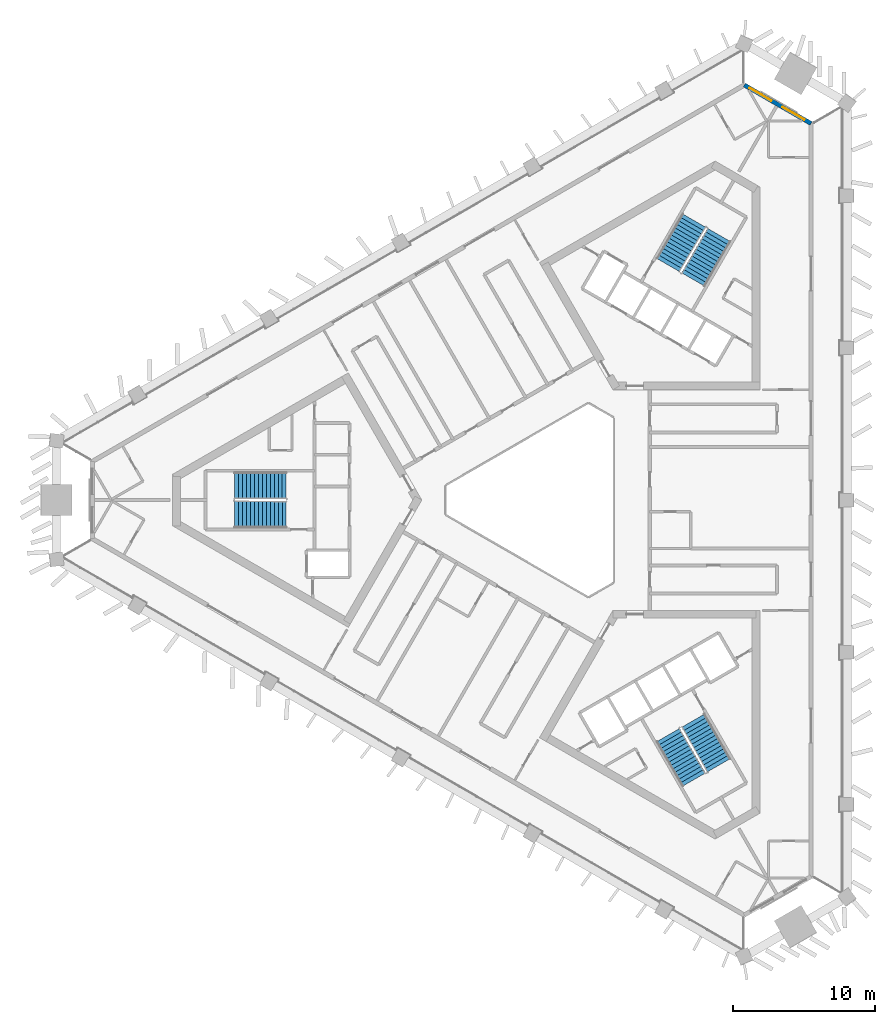
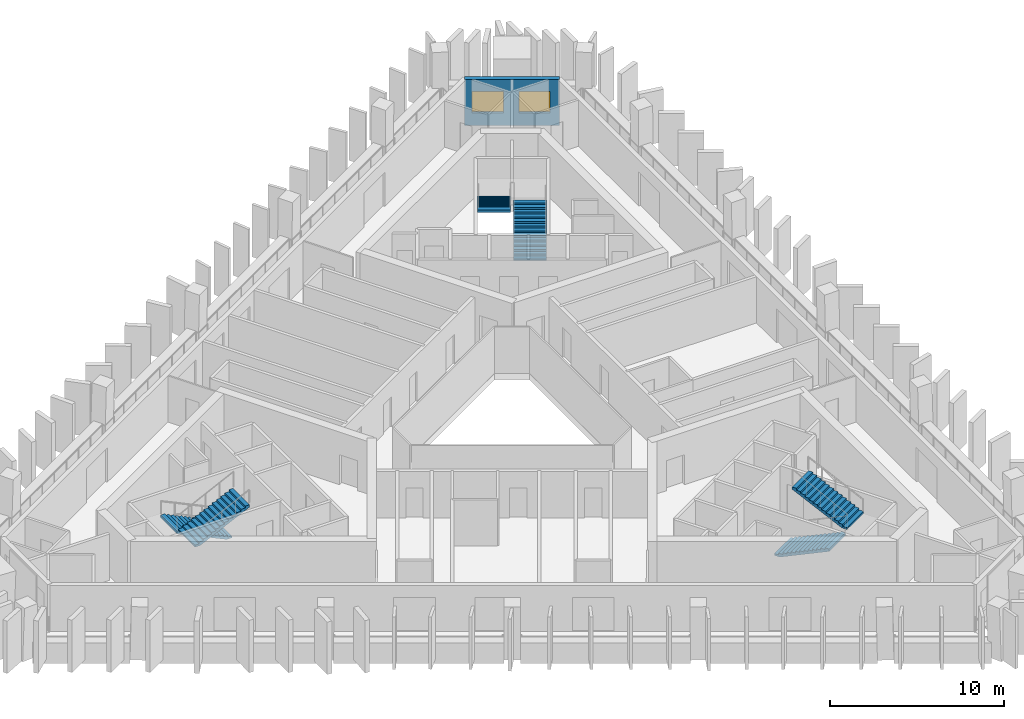
# One storey, part 7 of 10: 6 stair flights, 2 windows, 1 wall, 2 openings, 3 elements without a shape of their own.
"""IFC4 building model written with IfcOpenShell, lengths in metres."""

from ifc_helpers import new_model, si_unit, direction, frame, frame_2d, origin, place, context, subcontext, project, spatial, polyline, rectangle, outline, extrude, material, layer, layer_set, type_object, element, fill, aggregate, save


model = new_model("IFC4")

# Units and contexts
model_context = context("Model", 3, precision=1e-05, world=origin(), true_north=direction((0.0, 1.0)))
body_context = subcontext(model_context, "Body", "Model", "MODEL_VIEW")
ifc_project = project(units=[si_unit("LENGTHUNIT", "METRE"), si_unit("AREAUNIT", "SQUARE_METRE"), si_unit("VOLUMEUNIT", "CUBIC_METRE"), si_unit("PLANEANGLEUNIT", "RADIAN"), si_unit("MASSUNIT", "GRAM", prefix="KILO")], contexts=[model_context])

# Site, building, storey
site_placement = place(None, origin())
site = spatial("IfcSite", under=ifc_project, at=site_placement, CompositionType="ELEMENT")
building_placement = place(site_placement, origin())
building = spatial("IfcBuilding", under=site, at=building_placement, Name="Jabali Bay Hotel Tower and Convention Centre", CompositionType="ELEMENT")
storey_placement = place(building_placement, frame((0.0, 0.0, 178.5)))
storey = spatial("IfcBuildingStorey", under=building, at=storey_placement, Name="L43", CompositionType="ELEMENT", Elevation=178.5)

# Wall, openings, windows
ifc_material_1 = material(Name="Concrete C40", Category="concrete")
ifc_layer = layer(ifc_material_1, 0.300048828125)
ifc_layer_set = layer_set([ifc_layer], Name="Concrete C40")
wall_type = type_object("IfcWallType", Name="External wall 300", PredefinedType="SOLIDWALL", material=ifc_layer_set)
wall_placement = place(storey_placement, frame((88.787841796875, 109.324462890625, 0.0), z_axis=(0.0, 0.0, 1.0), x_axis=(0.866026498114, -0.499998104561, 0.0)))
wall = element("IfcWall", 1, at=wall_placement, inside=storey, type_object=wall_type, Name="External wall north-east chamfer L43", PredefinedType="SOLIDWALL", context=body_context, shape_type="SweptSolid", body=[
    extrude(rectangle(XDim=5.443359375, YDim=0.300048828125, at=frame_2d((2.7216796875, 0.0))), origin(), (0.0, 0.0, 1.0), 3.25),
])
opening_1_placement = place(wall_placement, frame((3.121826171875, 0.0, 0.89990234375)))
opening_1 = element("IfcOpeningElement", 2, at=opening_1_placement, cuts=wall, Name="Opening W1", PredefinedType="OPENING", context=body_context, shape_type="SweptSolid", body=[
    extrude(rectangle(XDim=1.800048828125, YDim=1.5, at=frame_2d((0.89990234375, 0.75))), frame((0.0, 0.16064453125, 0.0), z_axis=(0.0, -1.0, 0.0), x_axis=(1.0, 0.0, 0.0)), (0.0, 0.0, 1.0), 0.321044921875),
])
opening_2_placement = place(wall_placement, frame((0.4228515625, 0.0, 0.89990234375)))
opening_2 = element("IfcOpeningElement", 3, at=opening_2_placement, cuts=wall, Name="Opening W1", PredefinedType="OPENING", context=body_context, shape_type="SweptSolid", body=[
    extrude(rectangle(XDim=1.800048828125, YDim=1.5, at=frame_2d((0.89990234375, 0.75))), frame((0.0, 0.16064453125, 0.0), z_axis=(0.0, -1.0, 0.0), x_axis=(1.0, 0.0, 0.0)), (0.0, 0.0, 1.0), 0.321044921875),
])
ifc_material_2 = material(Name="Glass", Category="glass")
window_type = type_object("IfcWindowType", Name="Window 1800 x 1500", PartitioningType="SINGLE_PANEL", PredefinedType="WINDOW", material=ifc_material_2)
window_1_placement = place(opening_1_placement, origin())
window_1 = element("IfcWindow", 4, at=window_1_placement, inside=storey, type_object=window_type, Name="Window 4304", OverallHeight=1.5, OverallWidth=1.800048828125, PartitioningType="SINGLE_PANEL", PredefinedType="WINDOW", context=body_context, shape_type="SweptSolid", body=[
    extrude(rectangle(XDim=1.800048828125, YDim=1.5, at=frame_2d((0.89990234375, 0.75))), frame((0.0, 0.030029296875, 0.0), z_axis=(0.0, -1.0, 0.0), x_axis=(1.0, 0.0, 0.0)), (0.0, 0.0, 1.0), 0.06005859375),
])
fill(opening_1, window_1)
window_2_placement = place(opening_2_placement, origin())
window_2 = element("IfcWindow", 5, at=window_2_placement, inside=storey, type_object=window_type, Name="Window 4306", OverallHeight=1.5, OverallWidth=1.800048828125, PartitioningType="SINGLE_PANEL", PredefinedType="WINDOW", context=body_context, shape_type="SweptSolid", body=[
    extrude(rectangle(XDim=1.800048828125, YDim=1.5, at=frame_2d((0.89990234375, 0.75))), frame((0.0, 0.030029296875, 0.0), z_axis=(0.0, -1.0, 0.0), x_axis=(1.0, 0.0, 0.0)), (0.0, 0.0, 1.0), 0.06005859375),
])
fill(opening_2, window_2)

# Stair, stair flights
stair_type = type_object("IfcStairType", Name="Exit stair 1900", PredefinedType="HALF_TURN_STAIR", material=ifc_material_1)
stair_1_placement = place(storey_placement, origin())
stair_1 = element("IfcStair", 6, at=stair_1_placement, inside=storey, type_object=stair_type, Name="L43 Exit Stair 1", PredefinedType="HALF_TURN_STAIR")
stair_flight_type = type_object("IfcStairFlightType", Name="Stair flight concrete 150", PredefinedType="STRAIGHT", material=ifc_material_1)
stair_flight_1_placement = place(storey_placement, frame((56.419921875, 81.02490234375, 0.0), z_axis=(0.0, 0.0, 1.0), x_axis=(-1.0, 0.0, 0.0)))
stair_flight_1 = element("IfcStairFlight", 7, at=stair_flight_1_placement, type_object=stair_flight_type, Name="ST1 flight 1", NumberOfRisers=14, NumberOfTreads=13, PredefinedType="STRAIGHT", RiserHeight=0.132142857, TreadLength=0.28, context=body_context, shape_type="SweptSolid", body=[
    extrude(outline(polyline([(0.0, 0.0), (0.0, 0.132080078125), (0.280029296875, 0.132080078125), (0.280029296875, 0.264404296875), (0.56005859375, 0.264404296875), (0.56005859375, 0.396484375), (0.840087890625, 0.396484375), (0.840087890625, 0.528564453125), (1.1201171875, 0.528564453125), (1.1201171875, 0.66064453125), (1.39990234375, 0.66064453125), (1.39990234375, 0.79296875), (1.679931640625, 0.79296875), (1.679931640625, 0.925048828125), (1.9599609375, 0.925048828125), (1.9599609375, 1.05712890625), (2.239990234375, 1.05712890625), (2.239990234375, 1.189208984375), (2.52001953125, 1.189208984375), (2.52001953125, 1.321533203125), (2.800048828125, 1.321533203125), (2.800048828125, 1.45361328125), (3.080078125, 1.45361328125), (3.080078125, 1.585693359375), (3.360107421875, 1.585693359375), (3.360107421875, 1.7177734375), (3.639892578125, 1.7177734375), (3.639892578125, 1.85009765625), (3.639892578125, 1.552001953125), (0.351318359375, 0.0), (0.0, 0.0)])), frame((0.0, 0.949951171875, 0.0), z_axis=(0.0, -1.0, 0.0), x_axis=(1.0, 0.0, 0.0)), (0.0, 0.0, 1.0), 1.89990234375),
])
stair_flight_2_placement = place(storey_placement, frame((52.780029296875, 78.97509765625, 1.85009765625), z_axis=(0.0, 0.0, 1.0), x_axis=(1.0, 0.0, 0.0)))
stair_flight_2 = element("IfcStairFlight", 8, at=stair_flight_2_placement, type_object=stair_flight_type, Name="ST1 flight 2", NumberOfRisers=14, NumberOfTreads=13, PredefinedType="STRAIGHT", RiserHeight=0.132142857, TreadLength=0.28, context=body_context, shape_type="SweptSolid", body=[
    extrude(outline(polyline([(0.0, 0.0), (0.0, 0.132080078125), (0.280029296875, 0.132080078125), (0.280029296875, 0.264404296875), (0.56005859375, 0.264404296875), (0.56005859375, 0.396484375), (0.840087890625, 0.396484375), (0.840087890625, 0.528564453125), (1.1201171875, 0.528564453125), (1.1201171875, 0.66064453125), (1.39990234375, 0.66064453125), (1.39990234375, 0.79296875), (1.679931640625, 0.79296875), (1.679931640625, 0.925048828125), (1.9599609375, 0.925048828125), (1.9599609375, 1.05712890625), (2.239990234375, 1.05712890625), (2.239990234375, 1.189208984375), (2.52001953125, 1.189208984375), (2.52001953125, 1.321533203125), (2.800048828125, 1.321533203125), (2.800048828125, 1.45361328125), (3.080078125, 1.45361328125), (3.080078125, 1.585693359375), (3.360107421875, 1.585693359375), (3.360107421875, 1.7177734375), (3.639892578125, 1.7177734375), (3.639892578125, 1.85009765625), (3.639892578125, 1.552001953125), (0.351318359375, 0.0), (0.0, 0.0)])), frame((0.0, 0.949951171875, 0.0), z_axis=(0.0, -1.0, 0.0), x_axis=(1.0, 0.0, 0.0)), (0.0, 0.0, 1.0), 1.89990234375),
])
aggregate(stair_1, [stair_flight_1, stair_flight_2])

stair_2_placement = place(storey_placement, origin())
stair_2 = element("IfcStair", 9, at=stair_2_placement, inside=storey, type_object=stair_type, Name="L43 Exit Stair 2", PredefinedType="HALF_TURN_STAIR")
stair_flight_3_placement = place(storey_placement, frame((85.177734375, 95.578369140625, 0.0), z_axis=(0.0, 0.0, 1.0), x_axis=(0.5, 0.866025403784, 0.0)))
stair_flight_3 = element("IfcStairFlight", 10, at=stair_flight_3_placement, type_object=stair_flight_type, Name="ST2 flight 1", NumberOfRisers=14, NumberOfTreads=13, PredefinedType="STRAIGHT", RiserHeight=0.132142857, TreadLength=0.28, context=body_context, shape_type="SweptSolid", body=[
    extrude(outline(polyline([(0.0, 0.0), (0.0, 0.132080078125), (0.280029296875, 0.132080078125), (0.280029296875, 0.264404296875), (0.56005859375, 0.264404296875), (0.56005859375, 0.396484375), (0.840087890625, 0.396484375), (0.840087890625, 0.528564453125), (1.1201171875, 0.528564453125), (1.1201171875, 0.66064453125), (1.39990234375, 0.66064453125), (1.39990234375, 0.79296875), (1.679931640625, 0.79296875), (1.679931640625, 0.925048828125), (1.9599609375, 0.925048828125), (1.9599609375, 1.05712890625), (2.239990234375, 1.05712890625), (2.239990234375, 1.189208984375), (2.52001953125, 1.189208984375), (2.52001953125, 1.321533203125), (2.800048828125, 1.321533203125), (2.800048828125, 1.45361328125), (3.080078125, 1.45361328125), (3.080078125, 1.585693359375), (3.360107421875, 1.585693359375), (3.360107421875, 1.7177734375), (3.639892578125, 1.7177734375), (3.639892578125, 1.85009765625), (3.639892578125, 1.552001953125), (0.351318359375, 0.0), (0.0, 0.0)])), frame((0.0, 0.949951171875, 0.0), z_axis=(0.0, -1.0, 0.0), x_axis=(1.0, 0.0, 0.0)), (0.0, 0.0, 1.0), 1.89990234375),
])
stair_flight_4_placement = place(storey_placement, frame((85.222412109375, 99.755615234375, 1.85009765625), z_axis=(0.0, 0.0, 1.0), x_axis=(-0.5, -0.866025403784, 0.0)))
stair_flight_4 = element("IfcStairFlight", 11, at=stair_flight_4_placement, type_object=stair_flight_type, Name="ST2 flight 2", NumberOfRisers=14, NumberOfTreads=13, PredefinedType="STRAIGHT", RiserHeight=0.132142857, TreadLength=0.28, context=body_context, shape_type="SweptSolid", body=[
    extrude(outline(polyline([(0.0, 0.0), (0.0, 0.132080078125), (0.280029296875, 0.132080078125), (0.280029296875, 0.264404296875), (0.56005859375, 0.264404296875), (0.56005859375, 0.396484375), (0.840087890625, 0.396484375), (0.840087890625, 0.528564453125), (1.1201171875, 0.528564453125), (1.1201171875, 0.66064453125), (1.39990234375, 0.66064453125), (1.39990234375, 0.79296875), (1.679931640625, 0.79296875), (1.679931640625, 0.925048828125), (1.9599609375, 0.925048828125), (1.9599609375, 1.05712890625), (2.239990234375, 1.05712890625), (2.239990234375, 1.189208984375), (2.52001953125, 1.189208984375), (2.52001953125, 1.321533203125), (2.800048828125, 1.321533203125), (2.800048828125, 1.45361328125), (3.080078125, 1.45361328125), (3.080078125, 1.585693359375), (3.360107421875, 1.585693359375), (3.360107421875, 1.7177734375), (3.639892578125, 1.7177734375), (3.639892578125, 1.85009765625), (3.639892578125, 1.552001953125), (0.351318359375, 0.0), (0.0, 0.0)])), frame((0.0, 0.949951171875, 0.0), z_axis=(0.0, -1.0, 0.0), x_axis=(1.0, 0.0, 0.0)), (0.0, 0.0, 1.0), 1.89990234375),
])
aggregate(stair_2, [stair_flight_3, stair_flight_4])

stair_3_placement = place(storey_placement, origin())
stair_3 = element("IfcStair", 12, at=stair_3_placement, inside=storey, type_object=stair_type, Name="L43 Exit Stair 3", PredefinedType="HALF_TURN_STAIR")
stair_flight_5_placement = place(storey_placement, frame((83.40234375, 63.396728515625, 0.0), z_axis=(0.0, 0.0, 1.0), x_axis=(0.5, -0.866025403784, 0.0)))
stair_flight_5 = element("IfcStairFlight", 13, at=stair_flight_5_placement, type_object=stair_flight_type, Name="ST3 flight 1", NumberOfRisers=14, NumberOfTreads=13, PredefinedType="STRAIGHT", RiserHeight=0.132142857, TreadLength=0.28, context=body_context, shape_type="SweptSolid", body=[
    extrude(outline(polyline([(0.0, 0.0), (0.0, 0.132080078125), (0.280029296875, 0.132080078125), (0.280029296875, 0.264404296875), (0.56005859375, 0.264404296875), (0.56005859375, 0.396484375), (0.840087890625, 0.396484375), (0.840087890625, 0.528564453125), (1.1201171875, 0.528564453125), (1.1201171875, 0.66064453125), (1.39990234375, 0.66064453125), (1.39990234375, 0.79296875), (1.679931640625, 0.79296875), (1.679931640625, 0.925048828125), (1.9599609375, 0.925048828125), (1.9599609375, 1.05712890625), (2.239990234375, 1.05712890625), (2.239990234375, 1.189208984375), (2.52001953125, 1.189208984375), (2.52001953125, 1.321533203125), (2.800048828125, 1.321533203125), (2.800048828125, 1.45361328125), (3.080078125, 1.45361328125), (3.080078125, 1.585693359375), (3.360107421875, 1.585693359375), (3.360107421875, 1.7177734375), (3.639892578125, 1.7177734375), (3.639892578125, 1.85009765625), (3.639892578125, 1.552001953125), (0.351318359375, 0.0), (0.0, 0.0)])), frame((0.0, 0.949951171875, 0.0), z_axis=(0.0, -1.0, 0.0), x_axis=(1.0, 0.0, 0.0)), (0.0, 0.0, 1.0), 1.89990234375),
])
stair_flight_6_placement = place(storey_placement, frame((86.99755859375, 61.26953125, 1.85009765625), z_axis=(0.0, 0.0, 1.0), x_axis=(-0.5, 0.866025403784, 0.0)))
stair_flight_6 = element("IfcStairFlight", 14, at=stair_flight_6_placement, type_object=stair_flight_type, Name="ST3 flight 2", NumberOfRisers=14, NumberOfTreads=13, PredefinedType="STRAIGHT", RiserHeight=0.132142857, TreadLength=0.28, context=body_context, shape_type="SweptSolid", body=[
    extrude(outline(polyline([(0.0, 0.0), (0.0, 0.132080078125), (0.280029296875, 0.132080078125), (0.280029296875, 0.264404296875), (0.56005859375, 0.264404296875), (0.56005859375, 0.396484375), (0.840087890625, 0.396484375), (0.840087890625, 0.528564453125), (1.1201171875, 0.528564453125), (1.1201171875, 0.66064453125), (1.39990234375, 0.66064453125), (1.39990234375, 0.79296875), (1.679931640625, 0.79296875), (1.679931640625, 0.925048828125), (1.9599609375, 0.925048828125), (1.9599609375, 1.05712890625), (2.239990234375, 1.05712890625), (2.239990234375, 1.189208984375), (2.52001953125, 1.189208984375), (2.52001953125, 1.321533203125), (2.800048828125, 1.321533203125), (2.800048828125, 1.45361328125), (3.080078125, 1.45361328125), (3.080078125, 1.585693359375), (3.360107421875, 1.585693359375), (3.360107421875, 1.7177734375), (3.639892578125, 1.7177734375), (3.639892578125, 1.85009765625), (3.639892578125, 1.552001953125), (0.351318359375, 0.0), (0.0, 0.0)])), frame((0.0, 0.949951171875, 0.0), z_axis=(0.0, -1.0, 0.0), x_axis=(1.0, 0.0, 0.0)), (0.0, 0.0, 1.0), 1.89990234375),
])
aggregate(stair_3, [stair_flight_5, stair_flight_6])

save(model, "model.ifc")
